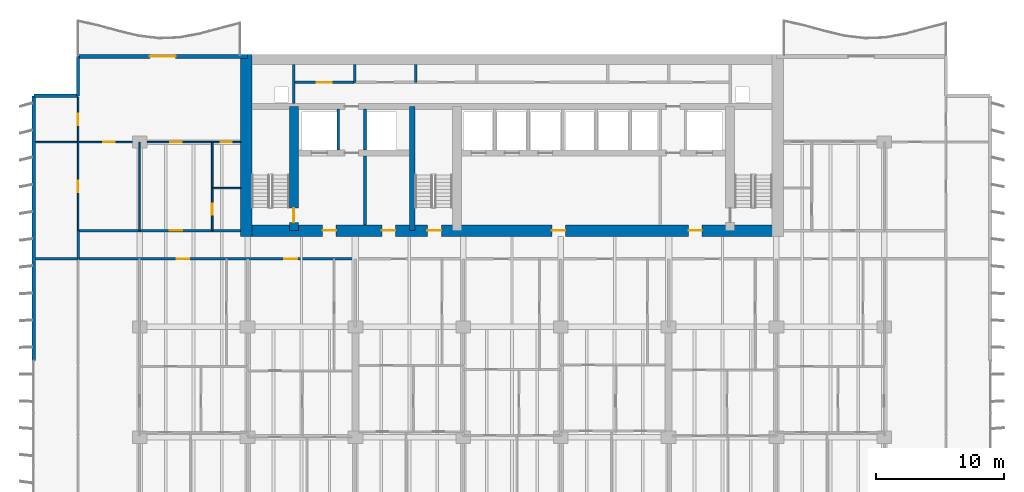
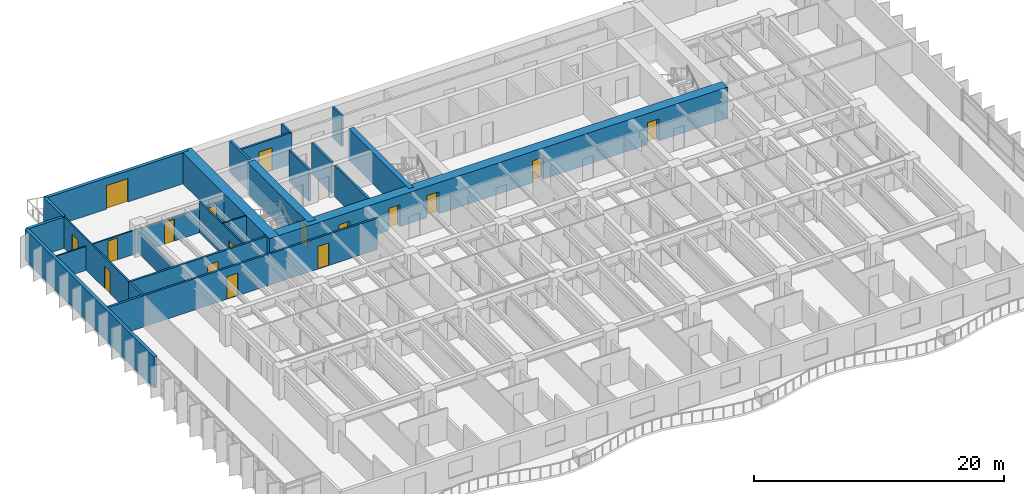
# One storey, part 11 of 19: 24 walls, 17 doors, 17 openings.
"""IFC4 building model written with IfcOpenShell, lengths in metres."""

from ifc_helpers import new_model, si_unit, direction, frame, frame_2d, origin, place, context, subcontext, project, spatial, rectangle, extrude, material, layer, layer_set, type_object, element, fill, save


model = new_model("IFC4")

# Units and contexts
model_context = context("Model", 3, precision=1e-05, world=origin(), true_north=direction((0.0, 1.0)))
body_context = subcontext(model_context, "Body", "Model", "MODEL_VIEW")
ifc_project = project(units=[si_unit("LENGTHUNIT", "METRE"), si_unit("AREAUNIT", "SQUARE_METRE"), si_unit("VOLUMEUNIT", "CUBIC_METRE"), si_unit("PLANEANGLEUNIT", "RADIAN"), si_unit("MASSUNIT", "GRAM", prefix="KILO")], contexts=[model_context])

# Site, building, storey
site_placement = place(None, origin())
site = spatial("IfcSite", under=ifc_project, at=site_placement, CompositionType="ELEMENT")
building_placement = place(site_placement, origin())
building = spatial("IfcBuilding", under=site, at=building_placement, Name="Caelmar Bay Residences", CompositionType="ELEMENT")
storey_placement = place(building_placement, frame((0.0, 0.0, 66.300048828125)))
storey = spatial("IfcBuildingStorey", under=building, at=storey_placement, Name="L17", CompositionType="ELEMENT", Elevation=66.300048828125)

# Wall, opening, door
ifc_material_1 = material(Name="Concrete f'c 55 MPa (8,000 psi)", Category="concrete")
ifc_layer_1 = layer(ifc_material_1, 0.699951171875)
ifc_layer_set_1 = layer_set([ifc_layer_1], Name="Concrete f'c 55 MPa (8,000 psi)")
wall_type_1 = type_object("IfcWallType", Name="SW-COR-700", PredefinedType="SHEAR", material=ifc_layer_set_1)
wall_1_placement = place(storey_placement, frame((21.89990234375, 36.89990234375, 0.0), z_axis=(0.0, 0.0, 1.0), x_axis=(0.0, 1.0, 0.0)))
wall_1 = element("IfcWall", 1, at=wall_1_placement, inside=storey, type_object=wall_type_1, Name="L17 Core Structural Web Wall ST1E", PredefinedType="SHEAR", context=body_context, shape_type="SweptSolid", body=[
    extrude(rectangle(XDim=9.675048828125, YDim=0.699951171875, at=frame_2d((4.83740234375, 0.0))), origin(), (0.0, 0.0, 1.0), 3.050048828125),
])
opening_1_placement = place(wall_1_placement, frame((0.64990234375, 0.0, 0.0)))
opening_1 = element("IfcOpeningElement", 2, at=opening_1_placement, cuts=wall_1, Name="Opening D-L17-108", PredefinedType="OPENING", context=body_context, shape_type="SweptSolid", body=[
    extrude(rectangle(XDim=1.10009765625, YDim=2.14990234375, at=frame_2d((0.550048828125, 1.074951171875))), frame((0.0, 0.35986328125, 0.0), z_axis=(0.0, -1.0, 0.0), x_axis=(1.0, 0.0, 0.0)), (0.0, 0.0, 1.0), 0.719970703125),
])
ifc_material_2 = material(Name="Fire-rated steel and walnut architectural door assembly", Category="steel")
ifc_layer_2 = layer(ifc_material_2, 0.050048828125)
ifc_layer_set_2 = layer_set([ifc_layer_2], Name="Fire-rated steel and walnut architectural door assembly")
door_type_1 = type_object("IfcDoorType", Name="D-STAIR-1100", OperationType="NOTDEFINED", PredefinedType="DOOR", material=ifc_layer_set_2)
door_1_placement = place(opening_1_placement, origin())
door_1 = element("IfcDoor", 3, at=door_1_placement, inside=storey, type_object=door_type_1, Name="L17 Firefighting Lobby West Door", OperationType="SINGLE_SWING_LEFT", OverallHeight=2.14990234375, OverallWidth=1.10009765625, PredefinedType="DOOR", context=body_context, shape_type="SweptSolid", body=[
    extrude(rectangle(XDim=1.10009765625, YDim=2.14990234375, at=frame_2d((0.550048828125, 1.074951171875))), frame((0.0, 0.02490234375, 0.0), z_axis=(0.0, -1.0, 0.0), x_axis=(1.0, 0.0, 0.0)), (0.0, 0.0, 1.0), 0.050048828125),
])
fill(opening_1, door_1)

# Wall, openings, doors
ifc_material_3 = material(Name="Concrete f'c 70 MPa (10,000 psi)", Category="concrete")
ifc_layer_3 = layer(ifc_material_3, 0.89990234375)
ifc_layer_set_3 = layer_set([ifc_layer_3], Name="Concrete f'c 70 MPa (10,000 psi)")
wall_type_2 = type_object("IfcWallType", Name="SW-COR-900", PredefinedType="SHEAR", material=ifc_layer_set_3)
wall_2_placement = place(storey_placement, frame((17.75, 36.89990234375, 0.0), z_axis=(0.0, 0.0, 1.0), x_axis=(1.0, 0.0, 0.0)))
wall_2 = element("IfcWall", 4, at=wall_2_placement, inside=storey, type_object=wall_type_2, Name="L17 Rear Core South Shear Wall", PredefinedType="SHEAR", context=body_context, shape_type="SweptSolid", body=[
    extrude(rectangle(XDim=42.300048828125, YDim=0.89990234375, at=frame_2d((21.14990234375, 0.0))), origin(), (0.0, 0.0, 1.0), 3.050048828125),
])
opening_2_placement = place(wall_2_placement, frame((14.550048828125, 0.0, 0.0)))
opening_2 = element("IfcOpeningElement", 5, at=opening_2_placement, cuts=wall_2, Name="Opening D-L17-106", PredefinedType="OPENING", context=body_context, shape_type="SweptSolid", body=[
    extrude(rectangle(XDim=1.10009765625, YDim=2.14990234375, at=frame_2d((0.550048828125, 1.074951171875))), frame((0.0, 0.4599609375, 0.0), z_axis=(0.0, -1.0, 0.0), x_axis=(1.0, 0.0, 0.0)), (0.0, 0.0, 1.0), 0.919921875),
])
opening_3_placement = place(wall_2_placement, frame((6.39990234375, 0.0, 0.0)))
opening_3 = element("IfcOpeningElement", 6, at=opening_3_placement, cuts=wall_2, Name="Opening D-L17-107", PredefinedType="OPENING", context=body_context, shape_type="SweptSolid", body=[
    extrude(rectangle(XDim=1.050048828125, YDim=2.14990234375, at=frame_2d((0.52490234375, 1.074951171875))), frame((0.0, 0.4599609375, 0.0), z_axis=(0.0, -1.0, 0.0), x_axis=(1.0, 0.0, 0.0)), (0.0, 0.0, 1.0), 0.919921875),
])
opening_4_placement = place(wall_2_placement, frame((34.89990234375, 0.0, 0.0)))
opening_4 = element("IfcOpeningElement", 7, at=opening_4_placement, cuts=wall_2, Name="Opening D-L17-110", PredefinedType="OPENING", context=body_context, shape_type="SweptSolid", body=[
    extrude(rectangle(XDim=1.050048828125, YDim=2.14990234375, at=frame_2d((0.52490234375, 1.074951171875))), frame((0.0, 0.4599609375, 0.0), z_axis=(0.0, -1.0, 0.0), x_axis=(1.0, 0.0, 0.0)), (0.0, 0.0, 1.0), 0.919921875),
])
opening_5_placement = place(wall_2_placement, frame((11.012451171875, 0.0, 0.0)))
opening_5 = element("IfcOpeningElement", 8, at=opening_5_placement, cuts=wall_2, Name="Opening D-L17-113", PredefinedType="OPENING", context=body_context, shape_type="SweptSolid", body=[
    extrude(rectangle(XDim=1.050048828125, YDim=2.14990234375, at=frame_2d((0.52490234375, 1.074951171875))), frame((0.0, 0.4599609375, 0.0), z_axis=(0.0, -1.0, 0.0), x_axis=(1.0, 0.0, 0.0)), (0.0, 0.0, 1.0), 0.919921875),
])
opening_6_placement = place(wall_2_placement, frame((24.25, 0.0, 0.0)))
opening_6 = element("IfcOpeningElement", 9, at=opening_6_placement, cuts=wall_2, Name="Opening D-L17-114", PredefinedType="OPENING", context=body_context, shape_type="SweptSolid", body=[
    extrude(rectangle(XDim=1.050048828125, YDim=2.14990234375, at=frame_2d((0.52490234375, 1.074951171875))), frame((0.0, 0.4599609375, 0.0), z_axis=(0.0, -1.0, 0.0), x_axis=(1.0, 0.0, 0.0)), (0.0, 0.0, 1.0), 0.919921875),
])
ifc_layer_4 = layer(ifc_material_2, 0.050048828125)
ifc_layer_set_4 = layer_set([ifc_layer_4], Name="Fire-rated steel and walnut architectural door assembly")
door_type_2 = type_object("IfcDoorType", Name="D-FSAE-1050", OperationType="NOTDEFINED", PredefinedType="DOOR", material=ifc_layer_set_4)
door_2_placement = place(opening_3_placement, origin())
door_2 = element("IfcDoor", 10, at=door_2_placement, inside=storey, type_object=door_type_2, Name="L17 Firefighting Lobby West Door", OperationType="SINGLE_SWING_RIGHT", OverallHeight=2.14990234375, OverallWidth=1.050048828125, PredefinedType="DOOR", context=body_context, shape_type="SweptSolid", body=[
    extrude(rectangle(XDim=1.050048828125, YDim=2.14990234375, at=frame_2d((0.52490234375, 1.074951171875))), frame((0.0, 0.02490234375, 0.0), z_axis=(0.0, -1.0, 0.0), x_axis=(1.0, 0.0, 0.0)), (0.0, 0.0, 1.0), 0.050048828125),
])
fill(opening_3, door_2)
door_3_placement = place(opening_4_placement, origin())
door_3 = element("IfcDoor", 11, at=door_3_placement, inside=storey, type_object=door_type_2, Name="L17 Firefighting Lobby East Door", OperationType="SINGLE_SWING_LEFT", OverallHeight=2.14990234375, OverallWidth=1.050048828125, PredefinedType="DOOR", context=body_context, shape_type="SweptSolid", body=[
    extrude(rectangle(XDim=1.050048828125, YDim=2.14990234375, at=frame_2d((0.52490234375, 1.074951171875))), frame((0.0, 0.02490234375, 0.0), z_axis=(0.0, -1.0, 0.0), x_axis=(1.0, 0.0, 0.0)), (0.0, 0.0, 1.0), 0.050048828125),
])
fill(opening_4, door_3)
door_4_placement = place(opening_5_placement, origin())
door_4 = element("IfcDoor", 12, at=door_4_placement, inside=storey, type_object=door_type_2, Name="L17 West Lift Lobby Door", OperationType="SINGLE_SWING_RIGHT", OverallHeight=2.14990234375, OverallWidth=1.050048828125, PredefinedType="DOOR", context=body_context, shape_type="SweptSolid", body=[
    extrude(rectangle(XDim=1.050048828125, YDim=2.14990234375, at=frame_2d((0.52490234375, 1.074951171875))), frame((0.0, 0.02490234375, 0.0), z_axis=(0.0, -1.0, 0.0), x_axis=(1.0, 0.0, 0.0)), (0.0, 0.0, 1.0), 0.050048828125),
])
fill(opening_5, door_4)
door_5_placement = place(opening_6_placement, origin())
door_5 = element("IfcDoor", 13, at=door_5_placement, inside=storey, type_object=door_type_2, Name="L17 Passenger Lift Lobby Door", OperationType="SINGLE_SWING_LEFT", OverallHeight=2.14990234375, OverallWidth=1.050048828125, PredefinedType="DOOR", context=body_context, shape_type="SweptSolid", body=[
    extrude(rectangle(XDim=1.050048828125, YDim=2.14990234375, at=frame_2d((0.52490234375, 1.074951171875))), frame((0.0, 0.02490234375, 0.0), z_axis=(0.0, -1.0, 0.0), x_axis=(1.0, 0.0, 0.0)), (0.0, 0.0, 1.0), 0.050048828125),
])
fill(opening_6, door_5)
door_6_placement = place(opening_2_placement, origin())
door_6 = element("IfcDoor", 14, at=door_6_placement, inside=storey, type_object=door_type_1, Name="L17 Exit Stair ST3 Door", OperationType="SINGLE_SWING_LEFT", OverallHeight=2.14990234375, OverallWidth=1.10009765625, PredefinedType="DOOR", context=body_context, shape_type="SweptSolid", body=[
    extrude(rectangle(XDim=1.10009765625, YDim=2.14990234375, at=frame_2d((0.550048828125, 1.074951171875))), frame((0.0, 0.02490234375, 0.0), z_axis=(0.0, -1.0, 0.0), x_axis=(1.0, 0.0, 0.0)), (0.0, 0.0, 1.0), 0.050048828125),
])
fill(opening_2, door_6)

# Walls
wall_3_placement = place(storey_placement, frame((18.199951171875, 36.449951171875, 0.0), z_axis=(0.0, 0.0, 1.0), x_axis=(0.0, 1.0, 0.0)))
element("IfcWall", 15, at=wall_3_placement, inside=storey, type_object=wall_type_2, Name="L17 Rear Core West Shear Wall", PredefinedType="SHEAR", context=body_context, shape_type="SweptSolid", body=[
    extrude(rectangle(XDim=14.150146484375, YDim=0.89990234375, at=frame_2d((7.0751953125, 0.0))), origin(), (0.0, 0.0, 1.0), 3.050048828125),
])
ifc_layer_5 = layer(ifc_material_3, 0.449951171875)
ifc_layer_set_5 = layer_set([ifc_layer_5], Name="Concrete f'c 70 MPa (10,000 psi)")
wall_type_3 = type_object("IfcWallType", Name="SW-WEB-450", PredefinedType="SHEAR", material=ifc_layer_set_5)
wall_4_placement = place(storey_placement, frame((31.125, 36.89990234375, 0.0), z_axis=(0.0, 0.0, 1.0), x_axis=(0.0, 1.0, 0.0)))
element("IfcWall", 16, at=wall_4_placement, inside=storey, type_object=wall_type_3, Name="L17 Core Structural Web Wall ST3W", PredefinedType="SHEAR", context=body_context, shape_type="SweptSolid", body=[
    extrude(rectangle(XDim=9.675048828125, YDim=0.449951171875, at=frame_2d((4.83740234375, 0.0))), origin(), (0.0, 0.0, 1.0), 3.050048828125),
])
ifc_material_4 = material(Name="Double-stud acoustic fire-rated gypsum partition 180 mm")
ifc_layer_6 = layer(ifc_material_4, 0.179931640625)
ifc_layer_set_6 = layer_set([ifc_layer_6], Name="Double-stud acoustic fire-rated gypsum partition 180 mm")
wall_type_4 = type_object("IfcWallType", Name="W-COR-200", PredefinedType="PARTITIONING", material=ifc_layer_set_6)
wall_5_placement = place(storey_placement, frame((5.10009765625, 34.705078125, 0.0), z_axis=(0.0, 0.0, 1.0), x_axis=(0.0, 1.0, 0.0)))
element("IfcWall", 17, at=wall_5_placement, inside=storey, type_object=wall_type_4, Name="L17 Partition Wall V006", PredefinedType="PARTITIONING", context=body_context, shape_type="SweptSolid", body=[
    extrude(rectangle(XDim=2.19482421875, YDim=0.179931640625, at=frame_2d((1.097412109375, 0.0))), origin(), (0.0, 0.0, 1.0), 3.050048828125),
])
for number, where, z_axis, x_axis, name in (
    (18, (26.64990234375, 48.449951171875, 0.0), (0.0, 0.0, 1.0), (0.0, 1.0, 0.0), "L17 Partition Wall V036"),
    (19, (31.39990234375, 48.449951171875, 0.0), (0.0, 0.0, 1.0), (0.0, 1.0, 0.0), "L17 Partition Wall V047"),
):
    element("IfcWall", number, at=place(storey_placement, frame(where, z_axis=z_axis, x_axis=x_axis)), inside=storey, type_object=wall_type_4, Name=name, PredefinedType="PARTITIONING", context=body_context, shape_type="SweptSolid", body=[
        extrude(rectangle(XDim=1.405029296875, YDim=0.179931640625, at=frame_2d((0.70263671875, 0.0))), origin(), (0.0, 0.0, 1.0), 3.050048828125),
    ])

# Wall, openings, doors
wall_6_placement = place(storey_placement, frame((5.10498046875, 34.699951171875, 0.0), z_axis=(0.0, 0.0, 1.0), x_axis=(1.0, 0.0, 0.0)))
wall_6 = element("IfcWall", 20, at=wall_6_placement, inside=storey, type_object=wall_type_4, Name="L17 Partition Wall H143", PredefinedType="PARTITIONING", context=body_context, shape_type="SweptSolid", body=[
    extrude(rectangle(XDim=21.544921875, YDim=0.179931640625, at=frame_2d((10.7724609375, 0.0))), origin(), (0.0, 0.0, 1.0), 3.050048828125),
])
opening_7_placement = place(wall_6_placement, frame((7.669921875, 0.0, 0.0)))
opening_7 = element("IfcOpeningElement", 21, at=opening_7_placement, cuts=wall_6, Name="Opening D-L17-123", PredefinedType="OPENING", context=body_context, shape_type="SweptSolid", body=[
    extrude(rectangle(XDim=1.0, YDim=2.199951171875, at=frame_2d((0.5, 1.10009765625))), frame((0.0, 0.099853515625, 0.0), z_axis=(0.0, -1.0, 0.0), x_axis=(1.0, 0.0, 0.0)), (0.0, 0.0, 1.0), 0.199951171875),
])
opening_8_placement = place(wall_6_placement, frame((16.070068359375, 0.0, 0.0)))
opening_8 = element("IfcOpeningElement", 22, at=opening_8_placement, cuts=wall_6, Name="Opening D-L17-131", PredefinedType="OPENING", context=body_context, shape_type="SweptSolid", body=[
    extrude(rectangle(XDim=1.0, YDim=2.199951171875, at=frame_2d((0.5, 1.10009765625))), frame((0.0, 0.099853515625, 0.0), z_axis=(0.0, -1.0, 0.0), x_axis=(1.0, 0.0, 0.0)), (0.0, 0.0, 1.0), 0.199951171875),
])
ifc_layer_7 = layer(ifc_material_2, 0.050048828125)
ifc_layer_set_7 = layer_set([ifc_layer_7], Name="Fire-rated steel and walnut architectural door assembly")
door_type_3 = type_object("IfcDoorType", Name="D-UNIT-1000", OperationType="NOTDEFINED", PredefinedType="DOOR", material=ifc_layer_set_7)
door_7_placement = place(opening_7_placement, origin())
door_7 = element("IfcDoor", 23, at=door_7_placement, inside=storey, type_object=door_type_3, Name="L17 Residence 01 Apartment Hall Door", OperationType="SINGLE_SWING_RIGHT", OverallHeight=2.199951171875, OverallWidth=1.0, PredefinedType="DOOR", context=body_context, shape_type="SweptSolid", body=[
    extrude(rectangle(XDim=1.0, YDim=2.199951171875, at=frame_2d((0.5, 1.10009765625))), frame((0.0, 0.02490234375, 0.0), z_axis=(0.0, -1.0, 0.0), x_axis=(1.0, 0.0, 0.0)), (0.0, 0.0, 1.0), 0.050048828125),
])
fill(opening_7, door_7)
door_8_placement = place(opening_8_placement, origin())
door_8 = element("IfcDoor", 24, at=door_8_placement, inside=storey, type_object=door_type_3, Name="L17 Residence 02 Apartment Hall Door", OperationType="SINGLE_SWING_RIGHT", OverallHeight=2.199951171875, OverallWidth=1.0, PredefinedType="DOOR", context=body_context, shape_type="SweptSolid", body=[
    extrude(rectangle(XDim=1.0, YDim=2.199951171875, at=frame_2d((0.5, 1.10009765625))), frame((0.0, 0.02490234375, 0.0), z_axis=(0.0, -1.0, 0.0), x_axis=(1.0, 0.0, 0.0)), (0.0, 0.0, 1.0), 0.050048828125),
])
fill(opening_8, door_8)

# Wall, opening, door
wall_7_placement = place(storey_placement, frame((5.10009765625, 36.89990234375, 0.0), z_axis=(0.0, 0.0, 1.0), x_axis=(1.0, 0.0, 0.0)))
wall_7 = element("IfcWall", 25, at=wall_7_placement, inside=storey, type_object=wall_type_4, Name="L17 Partition Wall H146", PredefinedType="PARTITIONING", context=body_context, shape_type="SweptSolid", body=[
    extrude(rectangle(XDim=12.64501953125, YDim=0.179931640625, at=frame_2d((6.322509765625, 0.0))), origin(), (0.0, 0.0, 1.0), 3.050048828125),
])
opening_9_placement = place(wall_7_placement, frame((7.125, 0.0, 0.0)))
opening_9 = element("IfcOpeningElement", 26, at=opening_9_placement, cuts=wall_7, Name="Opening D-L17-177", PredefinedType="OPENING", context=body_context, shape_type="SweptSolid", body=[
    extrude(rectangle(XDim=1.0, YDim=2.199951171875, at=frame_2d((0.5, 1.10009765625))), frame((0.0, 0.099853515625, 0.0), z_axis=(0.0, -1.0, 0.0), x_axis=(1.0, 0.0, 0.0)), (0.0, 0.0, 1.0), 0.199951171875),
])
door_9_placement = place(opening_9_placement, origin())
door_9 = element("IfcDoor", 27, at=door_9_placement, inside=storey, type_object=door_type_3, Name="L17 Residence WA Kitchen Door", OperationType="SINGLE_SWING_RIGHT", OverallHeight=2.199951171875, OverallWidth=1.0, PredefinedType="DOOR", context=body_context, shape_type="SweptSolid", body=[
    extrude(rectangle(XDim=1.0, YDim=2.199951171875, at=frame_2d((0.5, 1.10009765625))), frame((0.0, 0.02490234375, 0.0), z_axis=(0.0, -1.0, 0.0), x_axis=(1.0, 0.0, 0.0)), (0.0, 0.0, 1.0), 0.050048828125),
])
fill(opening_9, door_9)

wall_8_placement = place(storey_placement, frame((21.89990234375, 48.449951171875, 0.0), z_axis=(0.0, 0.0, 1.0), x_axis=(1.0, 0.0, 0.0)))
wall_8 = element("IfcWall", 28, at=wall_8_placement, inside=storey, type_object=wall_type_4, Name="L17 Partition Wall H152", PredefinedType="PARTITIONING", context=body_context, shape_type="SweptSolid", body=[
    extrude(rectangle(XDim=4.75, YDim=0.179931640625, at=frame_2d((2.375, 0.0))), origin(), (0.0, 0.0, 1.0), 3.050048828125),
])
opening_10_placement = place(wall_8_placement, frame((1.77490234375, 0.0, 0.0)))
opening_10 = element("IfcOpeningElement", 29, at=opening_10_placement, cuts=wall_8, Name="Opening D-L17-117", PredefinedType="OPENING", context=body_context, shape_type="SweptSolid", body=[
    extrude(rectangle(XDim=1.199951171875, YDim=2.199951171875, at=frame_2d((0.60009765625, 1.10009765625))), frame((0.0, 0.099853515625, 0.0), z_axis=(0.0, -1.0, 0.0), x_axis=(1.0, 0.0, 0.0)), (0.0, 0.0, 1.0), 0.199951171875),
])
ifc_layer_8 = layer(ifc_material_2, 0.050048828125)
ifc_layer_set_8 = layer_set([ifc_layer_8], Name="Fire-rated steel and walnut architectural door assembly")
door_type_4 = type_object("IfcDoorType", Name="D-PLANT-1200", OperationType="NOTDEFINED", PredefinedType="DOOR", material=ifc_layer_set_8)
door_10_placement = place(opening_10_placement, origin())
door_10 = element("IfcDoor", 30, at=door_10_placement, inside=storey, type_object=door_type_4, Name="L17 Branch Panel Closet Door", OperationType="SINGLE_SWING_RIGHT", OverallHeight=2.199951171875, OverallWidth=1.199951171875, PredefinedType="DOOR", context=body_context, shape_type="SweptSolid", body=[
    extrude(rectangle(XDim=1.199951171875, YDim=2.199951171875, at=frame_2d((0.60009765625, 1.10009765625))), frame((0.0, 0.02490234375, 0.0), z_axis=(0.0, -1.0, 0.0), x_axis=(1.0, 0.0, 0.0)), (0.0, 0.0, 1.0), 0.050048828125),
])
fill(opening_10, door_10)

# Walls
ifc_material_5 = material(Name="Precast concrete f'c 40 MPa (6,000 psi)", Category="concrete")
ifc_layer_9 = layer(ifc_material_5, 0.25)
ifc_layer_set_9 = layer_set([ifc_layer_9], Name="Precast concrete f'c 40 MPa (6,000 psi)")
wall_type_5 = type_object("IfcWallType", Name="W-EXT-250", PredefinedType="ELEMENTEDWALL", material=ifc_layer_set_9)
wall_9_placement = place(storey_placement, frame((1.64990234375, 47.39990234375, 0.0), z_axis=(0.0, 0.0, 1.0), x_axis=(1.0, 0.0, 0.0)))
element("IfcWall", 31, at=wall_9_placement, inside=storey, type_object=wall_type_5, Name="L17 NNW-H Notch Wall", PredefinedType="ELEMENTEDWALL", context=body_context, shape_type="SweptSolid", body=[
    extrude(rectangle(XDim=3.4501953125, YDim=0.25, at=frame_2d((1.72509765625, 0.0))), origin(), (0.0, 0.0, 1.0), 3.050048828125),
])
wall_10_placement = place(storey_placement, frame((5.10009765625, 47.39990234375, 0.0), z_axis=(0.0, 0.0, 1.0), x_axis=(0.0, 1.0, 0.0)))
element("IfcWall", 32, at=wall_10_placement, inside=storey, type_object=wall_type_5, Name="L17 NNW-V Notch Wall", PredefinedType="ELEMENTEDWALL", context=body_context, shape_type="SweptSolid", body=[
    extrude(rectangle(XDim=3.050048828125, YDim=0.25, at=frame_2d((1.52490234375, 0.0))), origin(), (0.0, 0.0, 1.0), 3.050048828125),
])
ifc_layer_10 = layer(ifc_material_5, 0.300048828125)
ifc_layer_set_10 = layer_set([ifc_layer_10], Name="Precast concrete f'c 40 MPa (6,000 psi)")
wall_type_6 = type_object("IfcWallType", Name="W-EXT-300", PredefinedType="STANDARD", material=ifc_layer_set_10)
wall_11_placement = place(storey_placement, frame((1.64990234375, 26.800048828125, 0.0), z_axis=(0.0, 0.0, 1.0), x_axis=(0.0, 1.0, 0.0)))
element("IfcWall", 33, at=wall_11_placement, inside=storey, type_object=wall_type_6, Name="L17 West Rear Exterior Wall", PredefinedType="STANDARD", context=body_context, shape_type="SweptSolid", body=[
    extrude(rectangle(XDim=20.599853515625, YDim=0.300048828125, at=frame_2d((10.2998046875, 0.0))), origin(), (0.0, 0.0, 1.0), 3.050048828125),
])

# Wall, opening, door
wall_12_placement = place(storey_placement, frame((5.10009765625, 50.449951171875, 0.0), z_axis=(0.0, 0.0, 1.0), x_axis=(1.0, 0.0, 0.0)))
wall_12 = element("IfcWall", 34, at=wall_12_placement, inside=storey, type_object=wall_type_6, Name="L17 North-West Wing Exterior Wall", PredefinedType="STANDARD", context=body_context, shape_type="SweptSolid", body=[
    extrude(rectangle(XDim=13.199951171875, YDim=0.300048828125, at=frame_2d((6.60009765625, 0.0))), origin(), (0.0, 0.0, 1.0), 3.050048828125),
])
opening_11_placement = place(wall_12_placement, frame((5.60009765625, 0.0, 0.0)))
opening_11 = element("IfcOpeningElement", 35, at=opening_11_placement, cuts=wall_12, Name="Opening L17-BDNW", PredefinedType="OPENING", context=body_context, shape_type="SweptSolid", body=[
    extrude(rectangle(XDim=2.0, YDim=2.300048828125, at=frame_2d((1.0, 1.14990234375))), frame((0.0, 0.159912109375, 0.0), z_axis=(0.0, -1.0, 0.0), x_axis=(1.0, 0.0, 0.0)), (0.0, 0.0, 1.0), 0.320068359375),
])
ifc_material_6 = material(Name="Anodised bronze thermally broken sliding glass door", Category="glass")
ifc_layer_11 = layer(ifc_material_6, 0.050048828125)
ifc_layer_set_11 = layer_set([ifc_layer_11], Name="Anodised bronze thermally broken sliding glass door")
door_type_5 = type_object("IfcDoorType", Name="D-BAL-2000", OperationType="DOUBLE_DOOR_SLIDING", PredefinedType="DOOR", material=ifc_layer_set_11)
door_11_placement = place(opening_11_placement, origin())
door_11 = element("IfcDoor", 36, at=door_11_placement, inside=storey, type_object=door_type_5, Name="L17 North-West Balcony Door", OperationType="DOUBLE_DOOR_SLIDING", OverallHeight=2.300048828125, OverallWidth=2.0, PredefinedType="DOOR", context=body_context, shape_type="SweptSolid", body=[
    extrude(rectangle(XDim=2.0, YDim=2.300048828125, at=frame_2d((1.0, 1.14990234375))), frame((0.0, 0.02490234375, 0.0), z_axis=(0.0, -1.0, 0.0), x_axis=(1.0, 0.0, 0.0)), (0.0, 0.0, 1.0), 0.050048828125),
])
fill(opening_11, door_11)

# Walls
ifc_material_7 = material(Name="Fire-rated masonry and gypsum shaftliner assembly 200 mm", Category="masonry")
ifc_layer_12 = layer(ifc_material_7, 0.199951171875)
ifc_layer_set_12 = layer_set([ifc_layer_12], Name="Fire-rated masonry and gypsum shaftliner assembly 200 mm")
wall_type_7 = type_object("IfcWallType", Name="W-FSAE-200", PredefinedType="PARTITIONING", material=ifc_layer_set_12)
wall_13_placement = place(storey_placement, frame((21.89990234375, 46.794921875, 0.0), z_axis=(0.0, 0.0, 1.0), x_axis=(0.0, 1.0, 0.0)))
element("IfcWall", 37, at=wall_13_placement, inside=storey, type_object=wall_type_7, Name="L17 Partition Wall V028", PredefinedType="PARTITIONING", context=body_context, shape_type="SweptSolid", body=[
    extrude(rectangle(XDim=3.06005859375, YDim=0.199951171875, at=frame_2d((1.530029296875, 0.0))), origin(), (0.0, 0.0, 1.0), 3.050048828125),
])
wall_14_placement = place(storey_placement, frame((25.35009765625, 43.169921875, 0.0), z_axis=(0.0, 0.0, 1.0), x_axis=(0.0, 1.0, 0.0)))
element("IfcWall", 38, at=wall_14_placement, inside=storey, type_object=wall_type_7, Name="L17 Partition Wall V035", PredefinedType="PARTITIONING", context=body_context, shape_type="SweptSolid", body=[
    extrude(rectangle(XDim=3.18505859375, YDim=0.199951171875, at=frame_2d((1.592529296875, 0.0))), origin(), (0.0, 0.0, 1.0), 3.050048828125),
])
wall_15_placement = place(storey_placement, frame((27.449951171875, 37.344970703125, 0.0), z_axis=(0.0, 0.0, 1.0), x_axis=(0.0, 1.0, 0.0)))
element("IfcWall", 39, at=wall_15_placement, inside=storey, type_object=wall_type_7, Name="L17 Partition Wall V040", PredefinedType="PARTITIONING", context=body_context, shape_type="SweptSolid", body=[
    extrude(rectangle(XDim=5.385009765625, YDim=0.199951171875, at=frame_2d((2.6923828125, 0.0))), origin(), (0.0, 0.0, 1.0), 3.050048828125),
])
wall_16_placement = place(storey_placement, frame((27.449951171875, 43.169921875, 0.0), z_axis=(0.0, 0.0, 1.0), x_axis=(0.0, 1.0, 0.0)))
element("IfcWall", 40, at=wall_16_placement, inside=storey, type_object=wall_type_7, Name="L17 Partition Wall V041", PredefinedType="PARTITIONING", context=body_context, shape_type="SweptSolid", body=[
    extrude(rectangle(XDim=3.18505859375, YDim=0.199951171875, at=frame_2d((1.592529296875, 0.0))), origin(), (0.0, 0.0, 1.0), 3.050048828125),
])

# Wall, openings, doors
ifc_material_8 = material(Name="Acoustic metal-stud gypsum partition 120 mm")
ifc_layer_13 = layer(ifc_material_8, 0.1201171875)
ifc_layer_set_13 = layer_set([ifc_layer_13], Name="Acoustic metal-stud gypsum partition 120 mm")
wall_type_8 = type_object("IfcWallType", Name="W-PRT-120", PredefinedType="PARTITIONING", material=ifc_layer_set_13)
wall_17_placement = place(storey_placement, frame((5.10009765625, 36.905029296875, 0.0), z_axis=(0.0, 0.0, 1.0), x_axis=(0.0, 1.0, 0.0)))
wall_17 = element("IfcWall", 41, at=wall_17_placement, inside=storey, type_object=wall_type_8, Name="L17 Partition Wall V007", PredefinedType="PARTITIONING", context=body_context, shape_type="SweptSolid", body=[
    extrude(rectangle(XDim=10.375, YDim=0.1201171875, at=frame_2d((5.1875, 0.0))), origin(), (0.0, 0.0, 1.0), 3.050048828125),
])
opening_12_placement = place(wall_17_placement, frame((2.99755859375, 0.0, 0.0)))
opening_12 = element("IfcOpeningElement", 42, at=opening_12_placement, cuts=wall_17, Name="Opening D-L17-181", PredefinedType="OPENING", context=body_context, shape_type="SweptSolid", body=[
    extrude(rectangle(XDim=0.89990234375, YDim=2.14990234375, at=frame_2d((0.449951171875, 1.074951171875))), frame((0.0, 0.070068359375, 0.0), z_axis=(0.0, -1.0, 0.0), x_axis=(1.0, 0.0, 0.0)), (0.0, 0.0, 1.0), 0.14013671875),
])
opening_13_placement = place(wall_17_placement, frame((8.18505859375, 0.0, 0.0)))
opening_13 = element("IfcOpeningElement", 43, at=opening_13_placement, cuts=wall_17, Name="Opening D-L17-182", PredefinedType="OPENING", context=body_context, shape_type="SweptSolid", body=[
    extrude(rectangle(XDim=0.89990234375, YDim=2.14990234375, at=frame_2d((0.449951171875, 1.074951171875))), frame((0.0, 0.070068359375, 0.0), z_axis=(0.0, -1.0, 0.0), x_axis=(1.0, 0.0, 0.0)), (0.0, 0.0, 1.0), 0.14013671875),
])
ifc_material_9 = material(Name="Solid walnut timber interior door leaf and frame", Category="wood")
ifc_layer_14 = layer(ifc_material_9, 0.050048828125)
ifc_layer_set_14 = layer_set([ifc_layer_14], Name="Solid walnut timber interior door leaf and frame")
door_type_6 = type_object("IfcDoorType", Name="D-ROOM-900", OperationType="NOTDEFINED", PredefinedType="DOOR", material=ifc_layer_set_14)
door_12_placement = place(opening_12_placement, origin())
door_12 = element("IfcDoor", 44, at=door_12_placement, inside=storey, type_object=door_type_6, Name="L17 Residence WA Sun Study Door", OperationType="SINGLE_SWING_RIGHT", OverallHeight=2.14990234375, OverallWidth=0.89990234375, PredefinedType="DOOR", context=body_context, shape_type="SweptSolid", body=[
    extrude(rectangle(XDim=0.89990234375, YDim=2.14990234375, at=frame_2d((0.449951171875, 1.074951171875))), frame((0.0, 0.02490234375, 0.0), z_axis=(0.0, -1.0, 0.0), x_axis=(1.0, 0.0, 0.0)), (0.0, 0.0, 1.0), 0.050048828125),
])
fill(opening_12, door_12)
door_13_placement = place(opening_13_placement, origin())
door_13 = element("IfcDoor", 45, at=door_13_placement, inside=storey, type_object=door_type_6, Name="L17 Residence WA North Sitting Alcove Door", OperationType="SINGLE_SWING_LEFT", OverallHeight=2.14990234375, OverallWidth=0.89990234375, PredefinedType="DOOR", context=body_context, shape_type="SweptSolid", body=[
    extrude(rectangle(XDim=0.89990234375, YDim=2.14990234375, at=frame_2d((0.449951171875, 1.074951171875))), frame((0.0, 0.02490234375, 0.0), z_axis=(0.0, -1.0, 0.0), x_axis=(1.0, 0.0, 0.0)), (0.0, 0.0, 1.0), 0.050048828125),
])
fill(opening_13, door_13)

# Wall
wall_18_placement = place(storey_placement, frame((9.89990234375, 36.89990234375, 0.0), z_axis=(0.0, 0.0, 1.0), x_axis=(0.0, 1.0, 0.0)))
element("IfcWall", 46, at=wall_18_placement, inside=storey, type_object=wall_type_8, Name="L17 Partition Wall V014", PredefinedType="PARTITIONING", context=body_context, shape_type="SweptSolid", body=[
    extrude(rectangle(XDim=6.900146484375, YDim=0.1201171875, at=frame_2d((3.4501953125, 0.0))), origin(), (0.0, 0.0, 1.0), 2.10986328125),
])

# Wall, opening, door
wall_19_placement = place(storey_placement, frame((15.550048828125, 36.89990234375, 0.0), z_axis=(0.0, 0.0, 1.0), x_axis=(0.0, 1.0, 0.0)))
wall_19 = element("IfcWall", 47, at=wall_19_placement, inside=storey, type_object=wall_type_8, Name="L17 Partition Wall V020", PredefinedType="PARTITIONING", context=body_context, shape_type="SweptSolid", body=[
    extrude(rectangle(XDim=6.900146484375, YDim=0.1201171875, at=frame_2d((3.4501953125, 0.0))), origin(), (0.0, 0.0, 1.0), 3.050048828125),
])
opening_14_placement = place(wall_19_placement, frame((1.23095703125, 0.0, 0.0)))
opening_14 = element("IfcOpeningElement", 48, at=opening_14_placement, cuts=wall_19, Name="Opening D-L17-179", PredefinedType="OPENING", context=body_context, shape_type="SweptSolid", body=[
    extrude(rectangle(XDim=0.85009765625, YDim=2.10009765625, at=frame_2d((0.425048828125, 1.050048828125))), frame((0.0, 0.070068359375, 0.0), z_axis=(0.0, -1.0, 0.0), x_axis=(1.0, 0.0, 0.0)), (0.0, 0.0, 1.0), 0.14013671875),
])
ifc_layer_15 = layer(ifc_material_9, 0.050048828125)
ifc_layer_set_15 = layer_set([ifc_layer_15], Name="Solid walnut timber interior door leaf and frame")
door_type_7 = type_object("IfcDoorType", Name="D-BATH-850", OperationType="NOTDEFINED", PredefinedType="DOOR", material=ifc_layer_set_15)
door_14_placement = place(opening_14_placement, origin())
door_14 = element("IfcDoor", 49, at=door_14_placement, inside=storey, type_object=door_type_7, Name="L17 Residence WA Walk-In Closet Door", OperationType="SINGLE_SWING_RIGHT", OverallHeight=2.10009765625, OverallWidth=0.85009765625, PredefinedType="DOOR", context=body_context, shape_type="SweptSolid", body=[
    extrude(rectangle(XDim=0.85009765625, YDim=2.10009765625, at=frame_2d((0.425048828125, 1.050048828125))), frame((0.0, 0.02490234375, 0.0), z_axis=(0.0, -1.0, 0.0), x_axis=(1.0, 0.0, 0.0)), (0.0, 0.0, 1.0), 0.050048828125),
])
fill(opening_14, door_14)

# Wall
wall_20_placement = place(storey_placement, frame((15.550048828125, 40.2119140625, 0.0), z_axis=(0.0, 0.0, 1.0), x_axis=(1.0, 0.0, 0.0)))
element("IfcWall", 50, at=wall_20_placement, inside=storey, type_object=wall_type_8, Name="L17 Partition Wall H148", PredefinedType="PARTITIONING", context=body_context, shape_type="SweptSolid", body=[
    extrude(rectangle(XDim=2.204833984375, YDim=0.1201171875, at=frame_2d((1.1025390625, 0.0))), origin(), (0.0, 0.0, 1.0), 3.050048828125),
])

# Wall, openings, doors
wall_21_placement = place(storey_placement, frame((1.794921875, 43.800048828125, 0.0), z_axis=(0.0, 0.0, 1.0), x_axis=(1.0, 0.0, 0.0)))
wall_21 = element("IfcWall", 51, at=wall_21_placement, inside=storey, type_object=wall_type_8, Name="L17 Partition Wall H150", PredefinedType="PARTITIONING", context=body_context, shape_type="SweptSolid", body=[
    extrude(rectangle(XDim=15.9599609375, YDim=0.1201171875, at=frame_2d((7.97998046875, 0.0))), origin(), (0.0, 0.0, 1.0), 2.3388671875),
])
opening_15_placement = place(wall_21_placement, frame((5.2548828125, 0.0, 0.0)))
opening_15 = element("IfcOpeningElement", 52, at=opening_15_placement, cuts=wall_21, Name="Opening D-L17-176", PredefinedType="OPENING", context=body_context, shape_type="SweptSolid", body=[
    extrude(rectangle(XDim=0.89990234375, YDim=2.14990234375, at=frame_2d((0.449951171875, 1.074951171875))), frame((0.0, 0.070068359375, 0.0), z_axis=(0.0, -1.0, 0.0), x_axis=(1.0, 0.0, 0.0)), (0.0, 0.0, 1.0), 0.14013671875),
])
opening_16_placement = place(wall_21_placement, frame((10.47998046875, 0.0, 0.0)))
opening_16 = element("IfcOpeningElement", 53, at=opening_16_placement, cuts=wall_21, Name="Opening D-L17-178", PredefinedType="OPENING", context=body_context, shape_type="SweptSolid", body=[
    extrude(rectangle(XDim=0.89990234375, YDim=2.14990234375, at=frame_2d((0.449951171875, 1.074951171875))), frame((0.0, 0.070068359375, 0.0), z_axis=(0.0, -1.0, 0.0), x_axis=(1.0, 0.0, 0.0)), (0.0, 0.0, 1.0), 0.14013671875),
])
opening_17_placement = place(wall_21_placement, frame((14.4326171875, 0.0, 0.0)))
opening_17 = element("IfcOpeningElement", 54, at=opening_17_placement, cuts=wall_21, Name="Opening D-L17-180", PredefinedType="OPENING", context=body_context, shape_type="SweptSolid", body=[
    extrude(rectangle(XDim=0.85009765625, YDim=2.10009765625, at=frame_2d((0.425048828125, 1.050048828125))), frame((0.0, 0.070068359375, 0.0), z_axis=(0.0, -1.0, 0.0), x_axis=(1.0, 0.0, 0.0)), (0.0, 0.0, 1.0), 0.14013671875),
])
door_15_placement = place(opening_17_placement, origin())
door_15 = element("IfcDoor", 55, at=door_15_placement, inside=storey, type_object=door_type_7, Name="L17 Residence WA Bathroom Door", OperationType="SINGLE_SWING_LEFT", OverallHeight=2.10009765625, OverallWidth=0.85009765625, PredefinedType="DOOR", context=body_context, shape_type="SweptSolid", body=[
    extrude(rectangle(XDim=0.85009765625, YDim=2.10009765625, at=frame_2d((0.425048828125, 1.050048828125))), frame((0.0, 0.02490234375, 0.0), z_axis=(0.0, -1.0, 0.0), x_axis=(1.0, 0.0, 0.0)), (0.0, 0.0, 1.0), 0.050048828125),
])
fill(opening_17, door_15)
door_16_placement = place(opening_15_placement, origin())
door_16 = element("IfcDoor", 56, at=door_16_placement, inside=storey, type_object=door_type_6, Name="L17 Residence WA Study Door", OperationType="SINGLE_SWING_LEFT", OverallHeight=2.14990234375, OverallWidth=0.89990234375, PredefinedType="DOOR", context=body_context, shape_type="SweptSolid", body=[
    extrude(rectangle(XDim=0.89990234375, YDim=2.14990234375, at=frame_2d((0.449951171875, 1.074951171875))), frame((0.0, 0.02490234375, 0.0), z_axis=(0.0, -1.0, 0.0), x_axis=(1.0, 0.0, 0.0)), (0.0, 0.0, 1.0), 0.050048828125),
])
fill(opening_15, door_16)
door_17_placement = place(opening_16_placement, origin())
door_17 = element("IfcDoor", 57, at=door_17_placement, inside=storey, type_object=door_type_6, Name="L17 Residence WA Studio Living and Sleeping Room Door", OperationType="SINGLE_SWING_LEFT", OverallHeight=2.14990234375, OverallWidth=0.89990234375, PredefinedType="DOOR", context=body_context, shape_type="SweptSolid", body=[
    extrude(rectangle(XDim=0.89990234375, YDim=2.14990234375, at=frame_2d((0.449951171875, 1.074951171875))), frame((0.0, 0.02490234375, 0.0), z_axis=(0.0, -1.0, 0.0), x_axis=(1.0, 0.0, 0.0)), (0.0, 0.0, 1.0), 0.050048828125),
])
fill(opening_16, door_17)

# Wall
ifc_material_10 = material(Name="Acoustic twin-stud fire-rated inter-tenancy partition 200 mm")
ifc_layer_16 = layer(ifc_material_10, 0.199951171875)
ifc_layer_set_16 = layer_set([ifc_layer_16], Name="Acoustic twin-stud fire-rated inter-tenancy partition 200 mm")
wall_type_9 = type_object("IfcWallType", Name="W-PTY-200", PredefinedType="PARTITIONING", material=ifc_layer_set_16)
wall_22_placement = place(storey_placement, frame((1.794921875, 34.699951171875, 0.0), z_axis=(0.0, 0.0, 1.0), x_axis=(1.0, 0.0, 0.0)))
element("IfcWall", 58, at=wall_22_placement, inside=storey, type_object=wall_type_9, Name="L17 Partition Wall H142", PredefinedType="PARTITIONING", context=body_context, shape_type="SweptSolid", body=[
    extrude(rectangle(XDim=3.30517578125, YDim=0.199951171875, at=frame_2d((1.652587890625, 0.0))), origin(), (0.0, 0.0, 1.0), 3.050048828125),
])

save(model, "model.ifc")
